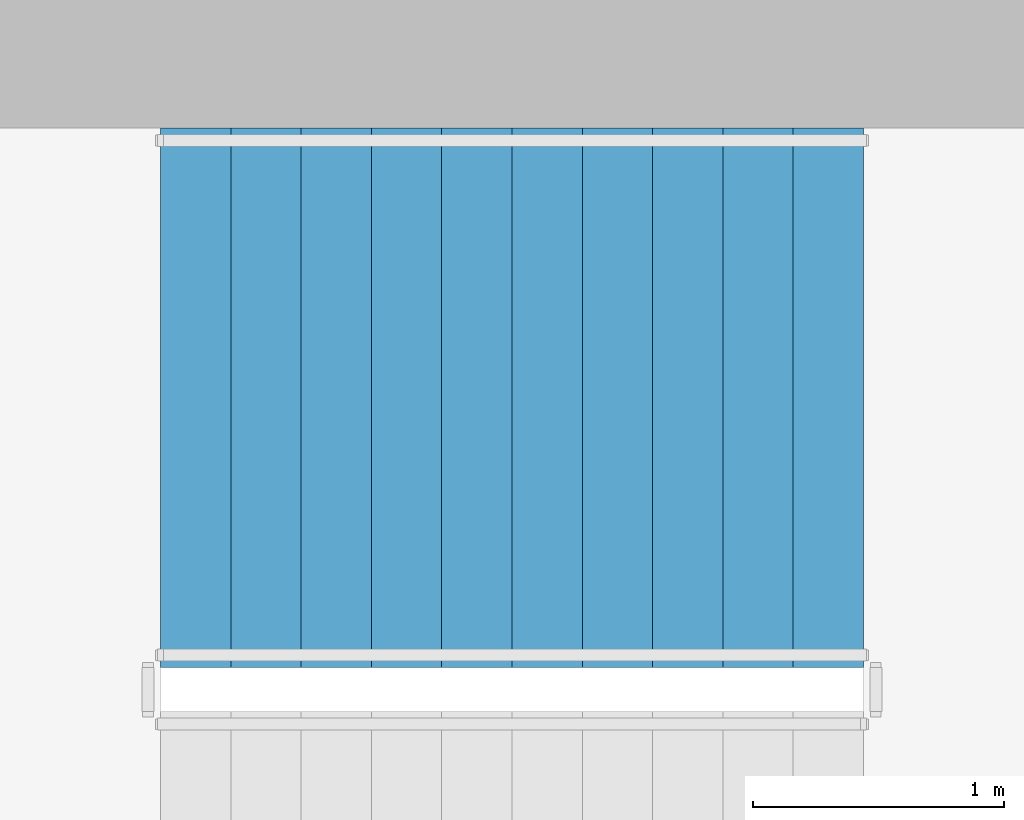
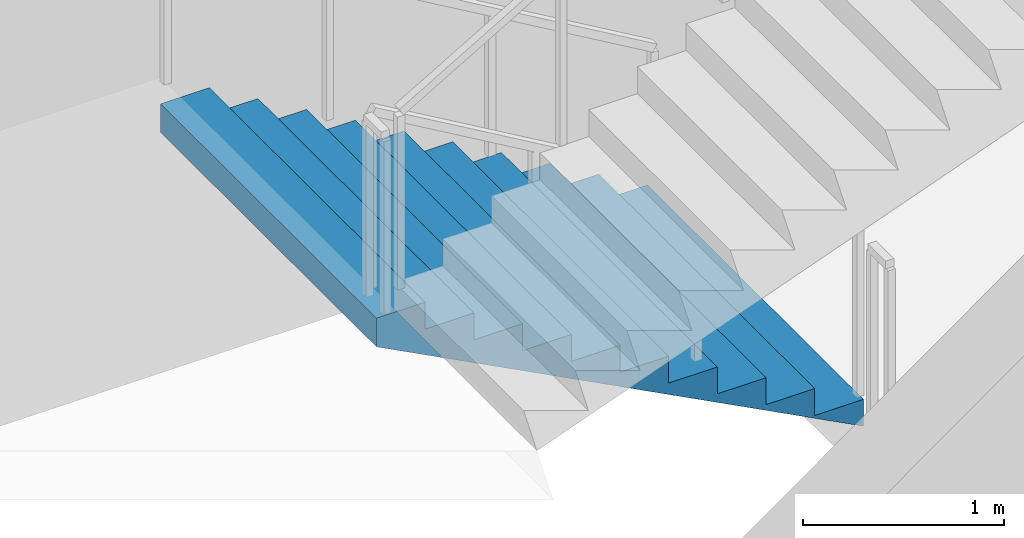
# One storey, part 11 of 19: 1 stair flight, 1 element without a shape of its own.
"""IFC4 building model written with IfcOpenShell, lengths in metres."""

from ifc_helpers import new_model, si_unit, direction, frame, origin, place, context, subcontext, project, spatial, triangles, material, type_object, element, aggregate, save


model = new_model("IFC4")

# Units and contexts
model_context = context("Model", 3, precision=1e-05, world=origin(), true_north=direction((0.0, 1.0)))
body_context = subcontext(model_context, "Body", "Model", "MODEL_VIEW")
ifc_project = project(units=[si_unit("LENGTHUNIT", "METRE"), si_unit("AREAUNIT", "SQUARE_METRE"), si_unit("VOLUMEUNIT", "CUBIC_METRE"), si_unit("PLANEANGLEUNIT", "RADIAN"), si_unit("MASSUNIT", "GRAM", prefix="KILO")], contexts=[model_context])

# Site, building, storey
site_placement = place(None, origin())
site = spatial("IfcSite", under=ifc_project, at=site_placement, CompositionType="ELEMENT")
building_placement = place(site_placement, origin())
building = spatial("IfcBuilding", under=site, at=building_placement, Name="Cypress Arch Tower", CompositionType="ELEMENT")
storey_placement = place(building_placement, frame((0.0, 0.0, 98.699951171875)))
storey = spatial("IfcBuildingStorey", under=building, at=storey_placement, Name="L19", CompositionType="ELEMENT", Elevation=98.699951171875)

# Stair, stair flight
ifc_material_1 = material(Name="Concrete C40/50", Category="concrete")
stair_type = type_object("IfcStairType", Name="Exit stair ES1636-215", PredefinedType="HALF_TURN_STAIR", material=ifc_material_1)
stair_placement = place(storey_placement, origin())
stair = element("IfcStair", 1, at=stair_placement, inside=storey, type_object=stair_type, Name="L19 Exit stair B", PredefinedType="HALF_TURN_STAIR")
ifc_material_2 = material(Name="Concrete C40/50", Category="concrete")
stair_flight_type = type_object("IfcStairFlightType", Name="Exit stair flight ES1636-215", PredefinedType="STRAIGHT", material=ifc_material_2)
stair_flight_placement = place(storey_placement, frame((-22.27490234375, 13.72509765625, 0.0), z_axis=(0.0, 0.0, 1.0), x_axis=(-1.0, 0.0, 0.0)))
stair_flight = element("IfcStairFlight", 2, at=stair_flight_placement, type_object=stair_flight_type, Name="B flight 1", NumberOfRisers=11, NumberOfTreads=10, PredefinedType="STRAIGHT", RiserHeight=0.163636364, TreadLength=0.28, context=body_context, shape_type="Tessellation", body=[
    triangles([(0.0, -1.074951171875, 0.0), (0.000244140625, -1.074951171875, 0.03271484375), (0.00048828125, -1.074951171875, 0.0654296875), (0.00048828125, -1.074951171875, 0.09814453125), (0.000244140625, -1.074951171875, 0.130859375), (0.0, -1.074951171875, 0.16357421875), (0.280029296875, -1.074951171875, 0.16357421875), (0.280029296875, -1.074951171875, 0.327392578125), (0.56005859375, -1.074951171875, 0.327392578125), (0.56005859375, -1.074951171875, 0.490966796875), (0.840087890625, -1.074951171875, 0.490966796875), (0.840087890625, -1.074951171875, 0.654541015625), (1.1201171875, -1.074951171875, 0.654541015625), (1.1201171875, -1.074951171875, 0.818115234375), (1.39990234375, -1.074951171875, 0.818115234375), (1.39990234375, -1.074951171875, 0.98193359375), (1.679931640625, -1.074951171875, 0.98193359375), (1.679931640625, -1.074951171875, 1.1455078125), (1.9599609375, -1.074951171875, 1.1455078125), (1.9599609375, -1.074951171875, 1.30908203125), (2.239990234375, -1.074951171875, 1.30908203125), (2.239990234375, -1.074951171875, 1.47265625), (2.52001953125, -1.074951171875, 1.47265625), (2.52001953125, -1.074951171875, 1.636474609375), (2.800048828125, -1.074951171875, 1.636474609375), (2.7998046875, -1.074951171875, 1.601806640625), (2.799560546875, -1.074951171875, 1.56689453125), (2.799560546875, -1.074951171875, 1.5322265625), (2.7998046875, -1.074951171875, 1.497314453125), (2.800048828125, -1.074951171875, 1.462646484375), (2.800048828125, 1.074951171875, 1.462646484375), (2.7998046875, 1.074951171875, 1.497314453125), (2.799560546875, 1.074951171875, 1.5322265625), (2.799560546875, 1.074951171875, 1.56689453125), (2.7998046875, 1.074951171875, 1.601806640625), (2.800048828125, 1.074951171875, 1.636474609375), (2.52001953125, 1.074951171875, 1.636474609375), (2.52001953125, 1.074951171875, 1.47265625), (2.239990234375, 1.074951171875, 1.47265625), (2.239990234375, 1.074951171875, 1.30908203125), (1.9599609375, 1.074951171875, 1.30908203125), (1.9599609375, 1.074951171875, 1.1455078125), (1.679931640625, 1.074951171875, 1.1455078125), (1.679931640625, 1.074951171875, 0.98193359375), (1.39990234375, 1.074951171875, 0.98193359375), (1.39990234375, 1.074951171875, 0.818115234375), (1.1201171875, 1.074951171875, 0.818115234375), (1.1201171875, 1.074951171875, 0.654541015625), (0.840087890625, 1.074951171875, 0.654541015625), (0.840087890625, 1.074951171875, 0.490966796875), (0.56005859375, 1.074951171875, 0.490966796875), (0.56005859375, 1.074951171875, 0.327392578125), (0.280029296875, 1.074951171875, 0.327392578125), (0.280029296875, 1.074951171875, 0.16357421875), (0.0, 1.074951171875, 0.16357421875), (0.000244140625, 1.074951171875, 0.130859375), (0.00048828125, 1.074951171875, 0.09814453125), (0.00048828125, 1.074951171875, 0.0654296875), (0.000244140625, 1.074951171875, 0.03271484375), (0.0, 1.074951171875, 0.0), (2.7998046875, 0.0, 1.497314453125), (2.800048828125, 0.0, 1.462646484375), (2.799560546875, 0.0, 1.5322265625), (2.799560546875, 0.0, 1.56689453125), (2.7998046875, 0.0, 1.601806640625), (2.800048828125, 0.0, 1.636474609375), (2.52001953125, 0.0, 1.636474609375), (2.52001953125, 0.0, 1.47265625), (2.239990234375, 0.0, 1.47265625), (2.239990234375, 0.0, 1.30908203125), (1.9599609375, 0.0, 1.30908203125), (1.9599609375, 0.0, 1.1455078125), (1.679931640625, 0.0, 1.1455078125), (1.679931640625, 0.0, 0.98193359375), (1.39990234375, 0.0, 0.98193359375), (1.39990234375, 0.0, 0.818115234375), (1.1201171875, 0.0, 0.818115234375), (1.1201171875, 0.0, 0.654541015625), (0.840087890625, 0.0, 0.654541015625), (0.840087890625, 0.0, 0.490966796875), (0.56005859375, 0.0, 0.490966796875), (0.56005859375, 0.0, 0.327392578125), (0.280029296875, 0.0, 0.327392578125), (0.280029296875, 0.0, 0.16357421875), (0.0, 0.0, 0.16357421875), (0.000244140625, 0.0, 0.130859375), (0.00048828125, 0.0, 0.09814453125), (0.00048828125, 0.0, 0.0654296875), (0.000244140625, 0.0, 0.03271484375), (0.0, 0.0, 0.0)], [[30, 29, 24], [29, 28, 24], [28, 27, 24], [27, 26, 24], [26, 25, 24], [17, 16, 15], [9, 8, 7], [15, 14, 13], [23, 22, 21], [21, 20, 19], [19, 18, 17], [13, 12, 11], [11, 10, 9], [6, 5, 7], [5, 4, 7], [4, 3, 7], [3, 2, 7], [2, 1, 7], [30, 24, 23], [30, 23, 21], [30, 21, 19], [30, 19, 17], [30, 17, 15], [30, 15, 13], [30, 13, 11], [30, 11, 9], [30, 9, 7], [30, 7, 1], [31, 37, 32], [32, 37, 33], [33, 37, 34], [34, 37, 35], [35, 37, 36], [44, 46, 45], [52, 54, 53], [46, 48, 47], [38, 40, 39], [40, 42, 41], [42, 44, 43], [48, 50, 49], [50, 52, 51], [55, 54, 56], [56, 54, 57], [57, 54, 58], [58, 54, 59], [59, 54, 60], [31, 38, 37], [31, 40, 38], [31, 42, 40], [31, 44, 42], [31, 46, 44], [31, 48, 46], [31, 50, 48], [31, 52, 50], [31, 54, 52], [31, 60, 54], [62, 61, 29], [62, 29, 30], [31, 32, 61], [31, 61, 62], [61, 63, 28], [61, 28, 29], [32, 33, 63], [32, 63, 61], [63, 64, 27], [63, 27, 28], [33, 34, 64], [33, 64, 63], [64, 65, 26], [64, 26, 27], [34, 35, 65], [34, 65, 64], [65, 66, 25], [65, 25, 26], [35, 36, 66], [35, 66, 65], [66, 67, 24], [66, 24, 25], [36, 37, 67], [36, 67, 66], [67, 68, 23], [67, 23, 24], [37, 38, 68], [37, 68, 67], [68, 69, 22], [68, 22, 23], [38, 39, 69], [38, 69, 68], [69, 70, 21], [69, 21, 22], [39, 40, 70], [39, 70, 69], [70, 71, 20], [70, 20, 21], [40, 41, 71], [40, 71, 70], [71, 72, 19], [71, 19, 20], [41, 42, 72], [41, 72, 71], [72, 73, 18], [72, 18, 19], [42, 43, 73], [42, 73, 72], [73, 74, 17], [73, 17, 18], [43, 44, 74], [43, 74, 73], [74, 75, 16], [74, 16, 17], [44, 45, 75], [44, 75, 74], [75, 76, 15], [75, 15, 16], [45, 46, 76], [45, 76, 75], [76, 77, 14], [76, 14, 15], [46, 47, 77], [46, 77, 76], [77, 78, 13], [77, 13, 14], [47, 48, 78], [47, 78, 77], [78, 79, 12], [78, 12, 13], [48, 49, 79], [48, 79, 78], [79, 80, 11], [79, 11, 12], [49, 50, 80], [49, 80, 79], [80, 81, 10], [80, 10, 11], [50, 51, 81], [50, 81, 80], [81, 82, 9], [81, 9, 10], [51, 52, 82], [51, 82, 81], [82, 83, 8], [82, 8, 9], [52, 53, 83], [52, 83, 82], [83, 84, 7], [83, 7, 8], [53, 54, 84], [53, 84, 83], [84, 85, 6], [84, 6, 7], [54, 55, 85], [54, 85, 84], [85, 86, 5], [85, 5, 6], [55, 56, 86], [55, 86, 85], [86, 87, 4], [86, 4, 5], [56, 57, 87], [56, 87, 86], [87, 88, 3], [87, 3, 4], [57, 58, 88], [57, 88, 87], [88, 89, 2], [88, 2, 3], [58, 59, 89], [58, 89, 88], [89, 90, 1], [89, 1, 2], [59, 60, 90], [59, 90, 89], [90, 62, 30], [90, 30, 1], [60, 31, 62], [60, 62, 90]], closed=True),
])
aggregate(stair, [stair_flight])

save(model, "model.ifc")
